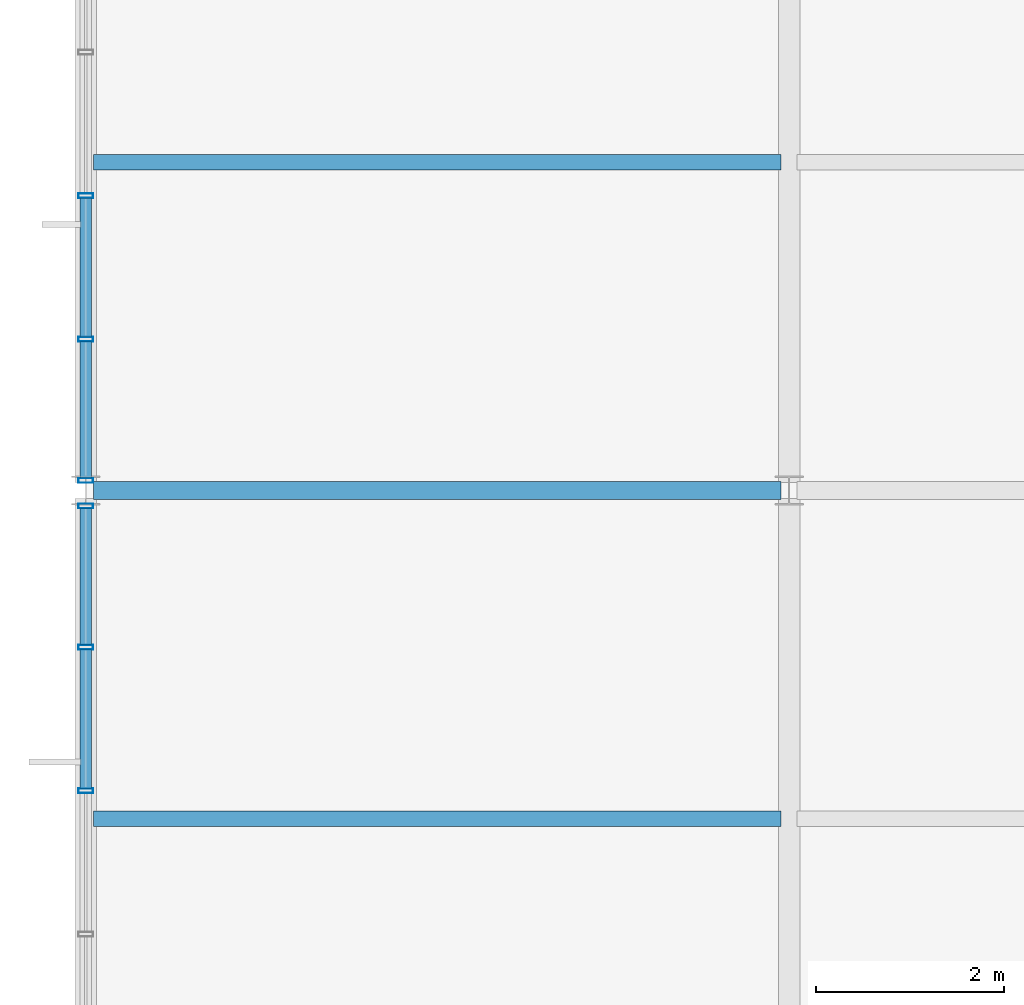
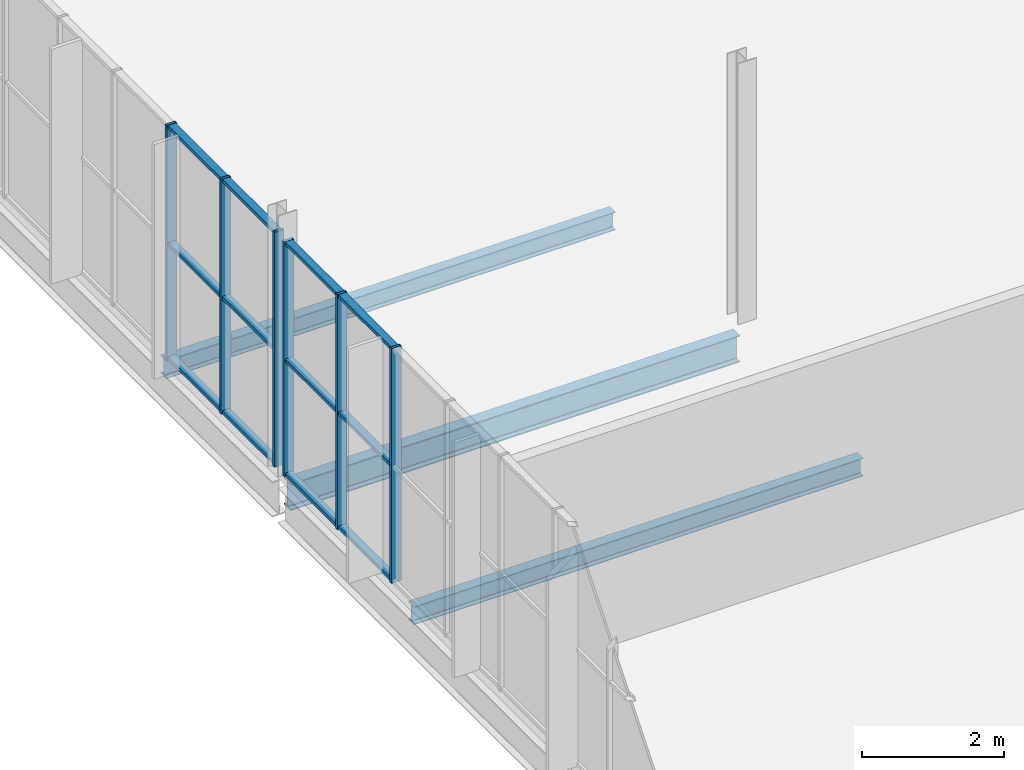
# One storey, part 40 of 324: 18 members, 3 beams, 2 elements without a shape of their own.
"""IFC4 building model written with IfcOpenShell, lengths in metres."""

from ifc_helpers import new_model, si_unit, direction, frame, origin, origin_2d, place, context, subcontext, project, spatial, hollow_rectangle, i_section, extrude, material, layer, layer_set, material_profile, profile_set, type_object, element, aggregate, save


model = new_model("IFC4")

# Units and contexts
model_context = context("Model", 3, precision=1e-05, world=origin(), true_north=direction((0.0, 1.0)))
body_context = subcontext(model_context, "Body", "Model", "MODEL_VIEW")
ifc_project = project(units=[si_unit("LENGTHUNIT", "METRE"), si_unit("AREAUNIT", "SQUARE_METRE"), si_unit("VOLUMEUNIT", "CUBIC_METRE"), si_unit("PLANEANGLEUNIT", "RADIAN"), si_unit("MASSUNIT", "GRAM", prefix="KILO")], contexts=[model_context])

# Site, building, storey
site_placement = place(None, origin())
site = spatial("IfcSite", under=ifc_project, at=site_placement, CompositionType="ELEMENT")
building_placement = place(site_placement, origin())
building = spatial("IfcBuilding", under=site, at=building_placement, Name="Solvenia Promenade Tram Depot", CompositionType="ELEMENT")
storey_placement = place(building_placement, frame((0.0, 0.0, 4.5)))
storey = spatial("IfcBuildingStorey", under=building, at=storey_placement, Name="L01", CompositionType="ELEMENT", Elevation=4.5)

# Beam
ifc_material_1 = material(Name="Structural steel ASTM A992 Gr. 50", Category="steel")
ifc_material_profile_1 = material_profile(ifc_material_1, i_section(OverallWidth=0.19091796875, OverallDepth=0.4599609375, WebThickness=0.010009765625, FlangeThickness=0.01611328125, FilletRadius=0.012939453125, at=origin_2d()), Name="W460x82", Category="steel")
ifc_profile_set_1 = profile_set([ifc_material_profile_1], Name="Structural steel ASTM A992 Gr. 50")
beam_type_1 = type_object("IfcBeamType", Name="Beam-W460x82", PredefinedType="BEAM", material=ifc_profile_set_1)
beam_placement = place(storey_placement, frame((0.0849609375, 52.0, -0.469970703125), z_axis=(1.0, 0.0, 0.0), x_axis=(0.0, 1.0, 0.0)))
element("IfcBeam", 1, at=beam_placement, inside=storey, type_object=beam_type_1, Name="Primary Girder BM-L01-0223", PredefinedType="BEAM", context=body_context, shape_type="SweptSolid", body=[
    extrude(i_section(OverallWidth=0.19091796875, OverallDepth=0.4599609375, WebThickness=0.010009765625, FlangeThickness=0.01611328125, FilletRadius=0.012939453125, at=origin_2d()), origin(), (0.0, 0.0, 1.0), 7.330078125),
])

# Curtain wall, members
ifc_material_2 = material(Name="Anodized aluminium AW-6063 T6", Category="aluminium")
ifc_layer = layer(ifc_material_2, 0.1201171875, Name="Anodized aluminium AW-6063 T6", Category="aluminium")
ifc_layer_set = layer_set([ifc_layer], Name="Anodized aluminium AW-6063 T6")
curtain_wall_type = type_object("IfcCurtainWallType", Name="CW-Wash-1500", PredefinedType="NOTDEFINED", material=ifc_layer_set)
curtain_wall_1_placement = place(storey_placement, origin())
curtain_wall_1 = element("IfcCurtainWall", 2, at=curtain_wall_1_placement, inside=storey, type_object=curtain_wall_type, Name="Curtain Wall CW-V3-W-L1-2", PredefinedType="NOTDEFINED")
ifc_material_profile_2 = material_profile(ifc_material_2, hollow_rectangle(XDim=0.159912109375, YDim=0.052001953125, WallThickness=0.00390625, at=origin_2d()), Name="ALU-M1", Category="aluminium")
ifc_profile_set_2 = profile_set([ifc_material_profile_2], Name="Anodized aluminium AW-6063 T6")
member_type_1 = type_object("IfcMemberType", Name="CWM-Mullion-1", PredefinedType="MULLION", material=ifc_profile_set_2)
member_1_placement = place(storey_placement, frame((0.0, 48.7978515625, 0.0), z_axis=(0.0, 0.0, 1.0), x_axis=(-1.0, 0.0, 0.0)))
member_1 = element("IfcMember", 3, at=member_1_placement, type_object=member_type_1, Name="CW-10 mullion 8", PredefinedType="MULLION", context=body_context, shape_type="SweptSolid", body=[
    extrude(hollow_rectangle(XDim=0.159912109375, YDim=0.052001953125, WallThickness=0.00390625, at=origin_2d()), origin(), (0.0, 0.0, 1.0), 4.050048828125),
])
member_2_placement = place(storey_placement, frame((0.0, 50.328857421875, 0.0), z_axis=(0.0, 0.0, 1.0), x_axis=(-1.0, 0.0, 0.0)))
member_2 = element("IfcMember", 4, at=member_2_placement, type_object=member_type_1, Name="CW-10 mullion 9", PredefinedType="MULLION", context=body_context, shape_type="SweptSolid", body=[
    extrude(hollow_rectangle(XDim=0.159912109375, YDim=0.052001953125, WallThickness=0.00390625, at=origin_2d()), origin(), (0.0, 0.0, 1.0), 4.050048828125),
])
member_3_placement = place(storey_placement, frame((0.0, 51.833984375, 0.0), z_axis=(0.0, 0.0, 1.0), x_axis=(-1.0, 0.0, 0.0)))
member_3 = element("IfcMember", 5, at=member_3_placement, type_object=member_type_1, Name="CW-10 mullion 10", PredefinedType="MULLION", context=body_context, shape_type="SweptSolid", body=[
    extrude(hollow_rectangle(XDim=0.159912109375, YDim=0.052001953125, WallThickness=0.00390625, at=origin_2d()), origin(), (0.0, 0.0, 1.0), 4.050048828125),
])

curtain_wall_2_placement = place(storey_placement, origin())
curtain_wall_2 = element("IfcCurtainWall", 6, at=curtain_wall_2_placement, inside=storey, type_object=curtain_wall_type, Name="Curtain Wall CW-V3-W-L1-3", PredefinedType="NOTDEFINED")
member_4_placement = place(storey_placement, frame((0.0, 52.10595703125, 0.0), z_axis=(0.0, 0.0, 1.0), x_axis=(-1.0, 0.0, 0.0)))
member_4 = element("IfcMember", 7, at=member_4_placement, type_object=member_type_1, Name="CW-10 mullion 1", PredefinedType="MULLION", context=body_context, shape_type="SweptSolid", body=[
    extrude(hollow_rectangle(XDim=0.159912109375, YDim=0.052001953125, WallThickness=0.00390625, at=origin_2d()), origin(), (0.0, 0.0, 1.0), 4.050048828125),
])
member_5_placement = place(storey_placement, frame((0.0, 53.611083984375, 0.0), z_axis=(0.0, 0.0, 1.0), x_axis=(-1.0, 0.0, 0.0)))
member_5 = element("IfcMember", 8, at=member_5_placement, type_object=member_type_1, Name="CW-10 mullion 2", PredefinedType="MULLION", context=body_context, shape_type="SweptSolid", body=[
    extrude(hollow_rectangle(XDim=0.159912109375, YDim=0.052001953125, WallThickness=0.00390625, at=origin_2d()), origin(), (0.0, 0.0, 1.0), 4.050048828125),
])
member_6_placement = place(storey_placement, frame((0.0, 55.142333984375, 0.0), z_axis=(0.0, 0.0, 1.0), x_axis=(-1.0, 0.0, 0.0)))
member_6 = element("IfcMember", 9, at=member_6_placement, type_object=member_type_1, Name="CW-10 mullion 3", PredefinedType="MULLION", context=body_context, shape_type="SweptSolid", body=[
    extrude(hollow_rectangle(XDim=0.159912109375, YDim=0.052001953125, WallThickness=0.00390625, at=origin_2d()), origin(), (0.0, 0.0, 1.0), 4.050048828125),
])

# Member
ifc_material_profile_3 = material_profile(ifc_material_2, hollow_rectangle(XDim=0.1201171875, YDim=0.06005859375, WallThickness=0.00390625, at=origin_2d()), Name="ALU-T1", Category="aluminium")
ifc_profile_set_3 = profile_set([ifc_material_profile_3], Name="Anodized aluminium AW-6063 T6")
member_type_2 = type_object("IfcMemberType", Name="CWT-Transom-1", PredefinedType="USERDEFINED", material=ifc_profile_set_3)
member_7_placement = place(storey_placement, frame((0.0, 48.82373046875, 0.030029296875), z_axis=(0.0, 1.0, 0.0), x_axis=(-1.0, 0.0, 0.0)))
member_7 = element("IfcMember", 10, at=member_7_placement, type_object=member_type_2, Name="CW-10 transom 8.1", ObjectType="TRANSOM", PredefinedType="USERDEFINED", context=body_context, shape_type="SweptSolid", body=[
    extrude(hollow_rectangle(XDim=0.1201171875, YDim=0.06005859375, WallThickness=0.00390625, at=origin_2d()), origin(), (0.0, 0.0, 1.0), 1.479248046875),
])

member_8_placement = place(storey_placement, frame((0.0, 48.82373046875, 2.0), z_axis=(0.0, 1.0, 0.0), x_axis=(-1.0, 0.0, 0.0)))
member_8 = element("IfcMember", 11, at=member_8_placement, type_object=member_type_2, Name="CW-10 transom 8.2", ObjectType="TRANSOM", PredefinedType="USERDEFINED", context=body_context, shape_type="SweptSolid", body=[
    extrude(hollow_rectangle(XDim=0.1201171875, YDim=0.06005859375, WallThickness=0.00390625, at=origin_2d()), origin(), (0.0, 0.0, 1.0), 1.479248046875),
])

member_9_placement = place(storey_placement, frame((0.0, 48.82373046875, 4.02001953125), z_axis=(0.0, 1.0, 0.0), x_axis=(-1.0, 0.0, 0.0)))
member_9 = element("IfcMember", 12, at=member_9_placement, type_object=member_type_2, Name="CW-10 transom 8.3", ObjectType="TRANSOM", PredefinedType="USERDEFINED", context=body_context, shape_type="SweptSolid", body=[
    extrude(hollow_rectangle(XDim=0.1201171875, YDim=0.06005859375, WallThickness=0.00390625, at=origin_2d()), origin(), (0.0, 0.0, 1.0), 1.479248046875),
])

member_10_placement = place(storey_placement, frame((0.0, 50.35498046875, 0.030029296875), z_axis=(0.0, 1.0, 0.0), x_axis=(-1.0, 0.0, 0.0)))
member_10 = element("IfcMember", 13, at=member_10_placement, type_object=member_type_2, Name="CW-10 transom 9.1", ObjectType="TRANSOM", PredefinedType="USERDEFINED", context=body_context, shape_type="SweptSolid", body=[
    extrude(hollow_rectangle(XDim=0.1201171875, YDim=0.06005859375, WallThickness=0.00390625, at=origin_2d()), origin(), (0.0, 0.0, 1.0), 1.453125),
])

member_11_placement = place(storey_placement, frame((0.0, 50.35498046875, 2.0), z_axis=(0.0, 1.0, 0.0), x_axis=(-1.0, 0.0, 0.0)))
member_11 = element("IfcMember", 14, at=member_11_placement, type_object=member_type_2, Name="CW-10 transom 9.2", ObjectType="TRANSOM", PredefinedType="USERDEFINED", context=body_context, shape_type="SweptSolid", body=[
    extrude(hollow_rectangle(XDim=0.1201171875, YDim=0.06005859375, WallThickness=0.00390625, at=origin_2d()), origin(), (0.0, 0.0, 1.0), 1.453125),
])

member_12_placement = place(storey_placement, frame((0.0, 50.35498046875, 4.02001953125), z_axis=(0.0, 1.0, 0.0), x_axis=(-1.0, 0.0, 0.0)))
member_12 = element("IfcMember", 15, at=member_12_placement, type_object=member_type_2, Name="CW-10 transom 9.3", ObjectType="TRANSOM", PredefinedType="USERDEFINED", context=body_context, shape_type="SweptSolid", body=[
    extrude(hollow_rectangle(XDim=0.1201171875, YDim=0.06005859375, WallThickness=0.00390625, at=origin_2d()), origin(), (0.0, 0.0, 1.0), 1.453125),
])

aggregate(curtain_wall_1, [member_1, member_2, member_3, member_7, member_8, member_9, member_10, member_11, member_12])

member_13_placement = place(storey_placement, frame((0.0, 52.132080078125, 0.030029296875), z_axis=(0.0, 1.0, 0.0), x_axis=(-1.0, 0.0, 0.0)))
member_13 = element("IfcMember", 16, at=member_13_placement, type_object=member_type_2, Name="CW-10 transom 1.1", ObjectType="TRANSOM", PredefinedType="USERDEFINED", context=body_context, shape_type="SweptSolid", body=[
    extrude(hollow_rectangle(XDim=0.1201171875, YDim=0.06005859375, WallThickness=0.00390625, at=origin_2d()), origin(), (0.0, 0.0, 1.0), 1.453125),
])

member_14_placement = place(storey_placement, frame((0.0, 52.132080078125, 2.0), z_axis=(0.0, 1.0, 0.0), x_axis=(-1.0, 0.0, 0.0)))
member_14 = element("IfcMember", 17, at=member_14_placement, type_object=member_type_2, Name="CW-10 transom 1.2", ObjectType="TRANSOM", PredefinedType="USERDEFINED", context=body_context, shape_type="SweptSolid", body=[
    extrude(hollow_rectangle(XDim=0.1201171875, YDim=0.06005859375, WallThickness=0.00390625, at=origin_2d()), origin(), (0.0, 0.0, 1.0), 1.453125),
])

member_15_placement = place(storey_placement, frame((0.0, 52.132080078125, 4.02001953125), z_axis=(0.0, 1.0, 0.0), x_axis=(-1.0, 0.0, 0.0)))
member_15 = element("IfcMember", 18, at=member_15_placement, type_object=member_type_2, Name="CW-10 transom 1.3", ObjectType="TRANSOM", PredefinedType="USERDEFINED", context=body_context, shape_type="SweptSolid", body=[
    extrude(hollow_rectangle(XDim=0.1201171875, YDim=0.06005859375, WallThickness=0.00390625, at=origin_2d()), origin(), (0.0, 0.0, 1.0), 1.453125),
])

member_16_placement = place(storey_placement, frame((0.0, 53.63720703125, 0.030029296875), z_axis=(0.0, 1.0, 0.0), x_axis=(-1.0, 0.0, 0.0)))
member_16 = element("IfcMember", 19, at=member_16_placement, type_object=member_type_2, Name="CW-10 transom 2.1", ObjectType="TRANSOM", PredefinedType="USERDEFINED", context=body_context, shape_type="SweptSolid", body=[
    extrude(hollow_rectangle(XDim=0.1201171875, YDim=0.06005859375, WallThickness=0.00390625, at=origin_2d()), origin(), (0.0, 0.0, 1.0), 1.47900390625),
])

member_17_placement = place(storey_placement, frame((0.0, 53.63720703125, 2.0), z_axis=(0.0, 1.0, 0.0), x_axis=(-1.0, 0.0, 0.0)))
member_17 = element("IfcMember", 20, at=member_17_placement, type_object=member_type_2, Name="CW-10 transom 2.2", ObjectType="TRANSOM", PredefinedType="USERDEFINED", context=body_context, shape_type="SweptSolid", body=[
    extrude(hollow_rectangle(XDim=0.1201171875, YDim=0.06005859375, WallThickness=0.00390625, at=origin_2d()), origin(), (0.0, 0.0, 1.0), 1.47900390625),
])

member_18_placement = place(storey_placement, frame((0.0, 53.63720703125, 4.02001953125), z_axis=(0.0, 1.0, 0.0), x_axis=(-1.0, 0.0, 0.0)))
member_18 = element("IfcMember", 21, at=member_18_placement, type_object=member_type_2, Name="CW-10 transom 2.3", ObjectType="TRANSOM", PredefinedType="USERDEFINED", context=body_context, shape_type="SweptSolid", body=[
    extrude(hollow_rectangle(XDim=0.1201171875, YDim=0.06005859375, WallThickness=0.00390625, at=origin_2d()), origin(), (0.0, 0.0, 1.0), 1.47900390625),
])

aggregate(curtain_wall_2, [member_4, member_5, member_6, member_13, member_14, member_15, member_16, member_17, member_18])

# Beams
ifc_material_profile_4 = material_profile(ifc_material_1, i_section(OverallWidth=0.166015625, OverallDepth=0.31298828125, WebThickness=0.006591796875, FlangeThickness=0.01123046875, FilletRadius=0.010009765625, at=origin_2d()), Name="W310x45", Category="steel")
ifc_profile_set_4 = profile_set([ifc_material_profile_4], Name="Structural steel ASTM A992 Gr. 50")
beam_type_2 = type_object("IfcBeamType", Name="Joist-W310x45", PredefinedType="JOIST", material=ifc_profile_set_4)
for number, where, z_axis, x_axis, name in (
    (22, (0.0849609375, 48.5, -0.396484375), (1.0, 0.0, 0.0), (0.0, 1.0, 0.0), "Secondary Floor Joist BM-L01-0255"),
    (23, (0.0849609375, 55.5, -0.396484375), (1.0, 0.0, 0.0), (0.0, 1.0, 0.0), "Secondary Floor Joist BM-L01-0256"),
):
    element("IfcBeam", number, at=place(storey_placement, frame(where, z_axis=z_axis, x_axis=x_axis)), inside=storey, type_object=beam_type_2, Name=name, PredefinedType="JOIST", context=body_context, shape_type="SweptSolid", body=[
        extrude(i_section(OverallWidth=0.166015625, OverallDepth=0.31298828125, WebThickness=0.006591796875, FlangeThickness=0.01123046875, FilletRadius=0.010009765625, at=origin_2d()), origin(), (0.0, 0.0, 1.0), 7.330078125),
    ])

save(model, "model.ifc")
